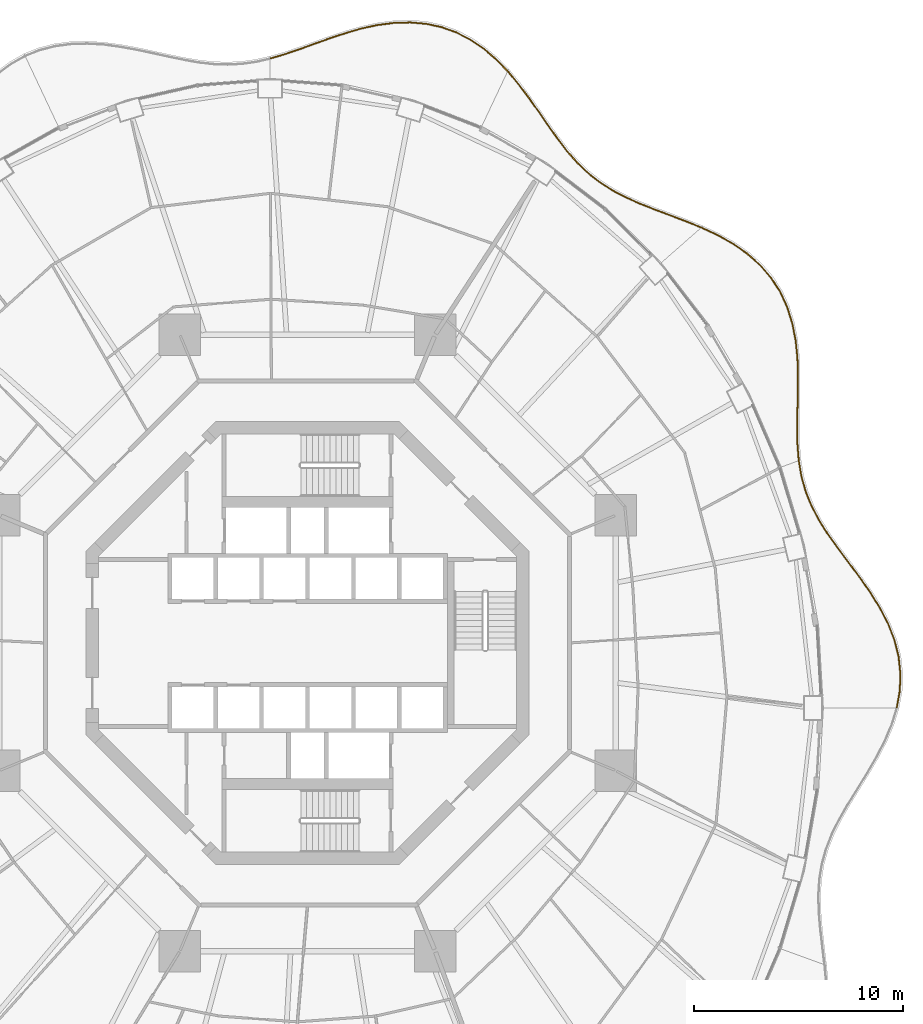
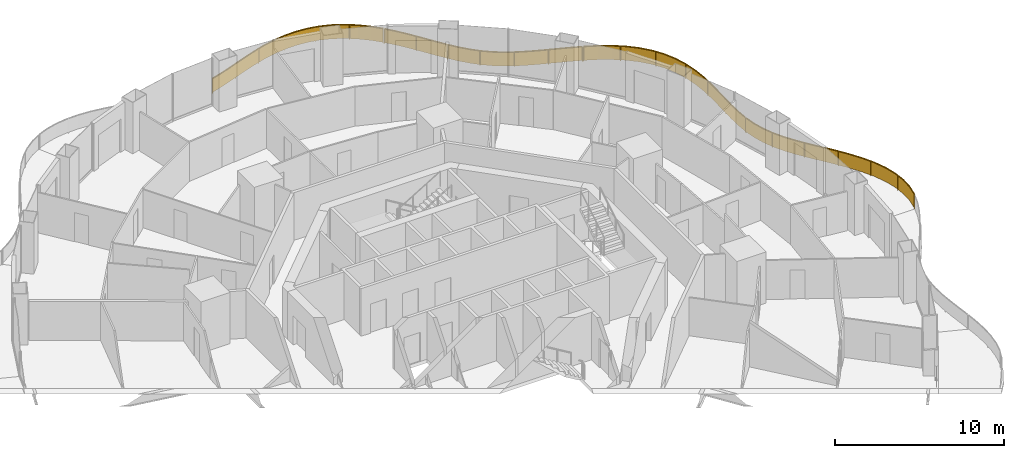
# One storey, part 20 of 20: 4 railings.
"""IFC4 building model written with IfcOpenShell, lengths in metres."""

from ifc_helpers import new_model, si_unit, direction, frame, origin, origin_2d, place, context, subcontext, project, spatial, polyline, rectangle, outline, extrude, material, type_object, element, save


model = new_model("IFC4")

# Units and contexts
model_context = context("Model", 3, precision=1e-05, world=origin(), true_north=direction((0.0, 1.0)))
body_context = subcontext(model_context, "Body", "Model", "MODEL_VIEW")
ifc_project = project(units=[si_unit("LENGTHUNIT", "METRE"), si_unit("AREAUNIT", "SQUARE_METRE"), si_unit("VOLUMEUNIT", "CUBIC_METRE"), si_unit("PLANEANGLEUNIT", "RADIAN"), si_unit("MASSUNIT", "GRAM", prefix="KILO")], contexts=[model_context])

# Site, building, storey
site_placement = place(None, origin())
site = spatial("IfcSite", under=ifc_project, at=site_placement, CompositionType="ELEMENT")
building_placement = place(site_placement, origin())
building = spatial("IfcBuilding", under=site, at=building_placement, Name="Nagisa Residences", CompositionType="ELEMENT")
storey_placement = place(building_placement, frame((0.0, 0.0, 123.300048828125)))
storey = spatial("IfcBuildingStorey", under=building, at=storey_placement, Name="L30", CompositionType="ELEMENT", Elevation=123.300048828125)

# Railings
ifc_material = material(Name="Stainless steel 316", Category="steel")
railing_type = type_object("IfcRailingType", Name="BALCONY GUARD 1100", PredefinedType="BALUSTRADE", material=ifc_material)
railing_1_placement = place(storey_placement, frame((28.2578125, -3.07958984375, 0.0)))
element("IfcRailing", 1, at=railing_1_placement, inside=storey, type_object=railing_type, Name="guard:L30:bal00-0", PredefinedType="BALUSTRADE", context=body_context, shape_type="SweptSolid", body=[
    extrude(outline(polyline([(0.11474609375, 0.77587890625), (-0.024658203125, 0.00439453125), (0.024658203125, -0.00439453125), (0.16455078125, 0.7705078125), (0.197021484375, 1.59423828125), (0.11083984375, 2.413330078125), (-0.090087890625, 3.22119140625), (-0.396240234375, 4.011474609375), (-0.78955078125, 4.7666015625), (-1.252197265625, 5.51171875), (-1.75830078125, 6.23388671875), (-2.281494140625, 6.935546875), (-2.7958984375, 7.6220703125), (-3.274658203125, 8.2861328125), (-3.70361328125, 8.963134765625), (-4.064697265625, 9.6484375), (-4.348388671875, 10.350341796875), (-4.552734375, 11.076416015625), (-4.67431640625, 11.79150390625), (-4.7236328125, 11.783203125), (-4.6015625, 11.065185546875), (-4.395751953125, 10.334228515625), (-4.110107421875, 9.62744140625), (-3.7470703125, 8.938232421875), (-3.316162109375, 8.25830078125), (-2.83642578125, 7.59228515625), (-2.321533203125, 6.90576171875), (-1.798828125, 6.20458984375), (-1.294189453125, 5.484375), (-0.8330078125, 4.74169921875), (-0.442138671875, 3.990966796875), (-0.137939453125, 3.2060546875), (0.0615234375, 2.404541015625), (0.146728515625, 1.5927734375), (0.11474609375, 0.77587890625)])), frame((0.0, 0.0, 1.050048828125)), (0.0, 0.0, 1.0), 0.050048828125),
    extrude(outline(polyline([(0.132568359375, 0.77392578125), (-0.0068359375, 0.001220703125), (0.0068359375, -0.001220703125), (0.146728515625, 0.7724609375), (0.178955078125, 1.59375), (0.093017578125, 2.41015625), (-0.107421875, 3.2158203125), (-0.412841796875, 4.004150390625), (-0.80517578125, 4.757568359375), (-1.267333984375, 5.501953125), (-1.77294921875, 6.223388671875), (-2.2958984375, 6.9248046875), (-2.810546875, 7.611328125), (-3.28955078125, 8.276123046875), (-3.71923828125, 8.9541015625), (-4.0810546875, 9.640869140625), (-4.365478515625, 10.344482421875), (-4.5703125, 11.072265625), (-4.692138671875, 11.78857421875), (-4.705810546875, 11.7861328125), (-4.583984375, 11.0693359375), (-4.378662109375, 10.340087890625), (-4.09375, 9.635009765625), (-3.7314453125, 8.947265625), (-3.30126953125, 8.268310546875), (-2.82177734375, 7.60302734375), (-2.30712890625, 6.91650390625), (-1.7841796875, 6.215087890625), (-1.279052734375, 5.494140625), (-0.8173828125, 4.750732421875), (-0.425537109375, 3.998291015625), (-0.12060546875, 3.21142578125), (0.079345703125, 2.40771484375), (0.164794921875, 1.59326171875), (0.132568359375, 0.77392578125)])), frame((0.0, 0.0, 0.06005859375)), (0.0, 0.0, 1.0), 0.989990234375),
    extrude(rectangle(XDim=0.0400390625, YDim=0.0400390625, at=origin_2d()), origin(), (0.0, 0.0, 1.0), 1.050048828125),
    extrude(rectangle(XDim=0.0400390625, YDim=0.0400390625, at=origin_2d()), frame((0.11181640625, 2.1640625, 0.0)), (0.0, 0.0, 1.0), 1.050048828125),
    extrude(rectangle(XDim=0.0400390625, YDim=0.0400390625, at=origin_2d()), frame((-0.539306640625, 4.23193359375, 0.0)), (0.0, 0.0, 1.0), 1.050048828125),
    extrude(rectangle(XDim=0.0400390625, YDim=0.0400390625, at=origin_2d()), frame((-1.68408203125, 6.084228515625, 0.0)), (0.0, 0.0, 1.0), 1.050048828125),
    extrude(rectangle(XDim=0.0400390625, YDim=0.0400390625, at=origin_2d()), frame((-2.9814453125, 7.83642578125, 0.0)), (0.0, 0.0, 1.0), 1.050048828125),
    extrude(rectangle(XDim=0.0400390625, YDim=0.0400390625, at=origin_2d()), frame((-4.111083984375, 9.696533203125, 0.0)), (0.0, 0.0, 1.0), 1.050048828125),
    extrude(rectangle(XDim=0.0400390625, YDim=0.0400390625, at=origin_2d()), frame((-4.698974609375, 11.787353515625, 0.0)), (0.0, 0.0, 1.0), 1.050048828125),
])
railing_2_placement = place(storey_placement, frame((23.552001953125, 8.7783203125, 0.0)))
element("IfcRailing", 2, at=railing_2_placement, inside=storey, type_object=railing_type, Name="guard:L30:bal01-0", PredefinedType="BALUSTRADE", context=body_context, shape_type="SweptSolid", body=[
    extrude(outline(polyline([(-0.08349609375, 0.721923828125), (-0.02490234375, -0.001953125), (0.02490234375, 0.001953125), (-0.03369140625, 0.724365234375), (-0.04931640625, 1.518798828125), (-0.036865234375, 2.3408203125), (-0.016845703125, 3.18408203125), (-0.01123046875, 4.039794921875), (-0.035888671875, 4.884521484375), (-0.12353515625, 5.7314453125), (-0.28466796875, 6.55419921875), (-0.531982421875, 7.340576171875), (-0.873779296875, 8.078369140625), (-1.304443359375, 8.74609375), (-1.8349609375, 9.359619140625), (-2.450927734375, 9.906494140625), (-3.13916015625, 10.386474609375), (-3.8828125, 10.804931640625), (-4.623291015625, 11.149169921875), (-4.644287109375, 11.103759765625), (-3.90576171875, 10.760498046875), (-3.166015625, 10.343994140625), (-2.482177734375, 9.866943359375), (-1.87060546875, 9.324462890625), (-1.344482421875, 8.7158203125), (-0.917724609375, 8.053955078125), (-0.578857421875, 7.322509765625), (-0.3330078125, 6.5419921875), (-0.1728515625, 5.72412109375), (-0.085693359375, 4.881103515625), (-0.0615234375, 4.039306640625), (-0.066650390625, 3.18505859375), (-0.086669921875, 2.341796875), (-0.099609375, 1.518798828125), (-0.08349609375, 0.721923828125)])), frame((0.0, 0.0, 1.050048828125)), (0.0, 0.0, 1.0), 0.050048828125),
    extrude(outline(polyline([(-0.065673828125, 0.722900390625), (-0.007080078125, -0.00048828125), (0.007080078125, 0.00048828125), (-0.051513671875, 0.723388671875), (-0.0673828125, 1.518798828125), (-0.0546875, 2.341064453125), (-0.03466796875, 3.1845703125), (-0.029296875, 4.03955078125), (-0.0537109375, 4.88330078125), (-0.141357421875, 5.728759765625), (-0.302001953125, 6.5498046875), (-0.548828125, 7.333984375), (-0.8896484375, 8.069580078125), (-1.31884765625, 8.735107421875), (-1.847900390625, 9.346923828125), (-2.462158203125, 9.892333984375), (-3.14892578125, 10.37109375), (-3.89111328125, 10.7890625), (-4.630859375, 11.1328125), (-4.63671875, 11.1201171875), (-3.8974609375, 10.7763671875), (-3.15625, 10.359375), (-2.470947265625, 9.881103515625), (-1.857666015625, 9.337158203125), (-1.330078125, 8.726806640625), (-0.90185546875, 8.062744140625), (-0.56201171875, 7.3291015625), (-0.315673828125, 6.54638671875), (-0.155029296875, 5.726806640625), (-0.06787109375, 4.88232421875), (-0.04345703125, 4.03955078125), (-0.048828125, 3.1845703125), (-0.06884765625, 2.341552734375), (-0.08154296875, 1.518798828125), (-0.065673828125, 0.722900390625)])), frame((0.0, 0.0, 0.06005859375)), (0.0, 0.0, 1.0), 0.989990234375),
    extrude(rectangle(XDim=0.0400390625, YDim=0.0400390625, at=origin_2d()), origin(), (0.0, 0.0, 1.0), 1.050048828125),
    extrude(rectangle(XDim=0.0400390625, YDim=0.0400390625, at=origin_2d()), frame((-0.064208984375, 2.184814453125, 0.0)), (0.0, 0.0, 1.0), 1.050048828125),
    extrude(rectangle(XDim=0.0400390625, YDim=0.0400390625, at=origin_2d()), frame((-0.0458984375, 4.371826171875, 0.0)), (0.0, 0.0, 1.0), 1.050048828125),
    extrude(rectangle(XDim=0.0400390625, YDim=0.0400390625, at=origin_2d()), frame((-0.30712890625, 6.539306640625, 0.0)), (0.0, 0.0, 1.0), 1.050048828125),
    extrude(rectangle(XDim=0.0400390625, YDim=0.0400390625, at=origin_2d()), frame((-1.1923828125, 8.5263671875, 0.0)), (0.0, 0.0, 1.0), 1.050048828125),
    extrude(rectangle(XDim=0.0400390625, YDim=0.0400390625, at=origin_2d()), frame((-2.725341796875, 10.067138671875, 0.0)), (0.0, 0.0, 1.0), 1.050048828125),
    extrude(rectangle(XDim=0.0400390625, YDim=0.0400390625, at=origin_2d()), frame((-4.6337890625, 11.12646484375, 0.0)), (0.0, 0.0, 1.0), 1.050048828125),
])
railing_3_placement = place(storey_placement, frame((18.84716796875, 19.9345703125, 0.0)))
element("IfcRailing", 3, at=railing_3_placement, inside=storey, type_object=railing_type, Name="guard:L30:bal02-0", PredefinedType="BALUSTRADE", context=body_context, shape_type="SweptSolid", body=[
    extrude(outline(polyline([(-0.728271484375, 0.2685546875), (-0.009521484375, -0.023193359375), (0.009521484375, 0.023193359375), (-0.710205078125, 0.31494140625), (-1.471435546875, 0.603515625), (-2.217529296875, 0.883544921875), (-2.936279296875, 1.169189453125), (-3.61767578125, 1.4755859375), (-4.24365234375, 1.804931640625), (-4.836181640625, 2.18798828125), (-5.385498046875, 2.622314453125), (-5.89599609375, 3.11181640625), (-6.376220703125, 3.655029296875), (-6.82275390625, 4.23876953125), (-7.27490234375, 4.871826171875), (-7.731201171875, 5.53173828125), (-8.20361328125, 6.20263671875), (-8.703125, 6.865966796875), (-9.205810546875, 7.4677734375), (-9.244384765625, 7.435546875), (-8.7421875, 6.834716796875), (-8.244140625, 6.17333984375), (-7.772216796875, 5.5029296875), (-7.31591796875, 4.843017578125), (-6.86279296875, 4.208984375), (-6.414794921875, 3.623291015625), (-5.93212890625, 3.0771484375), (-5.418212890625, 2.584716796875), (-4.865478515625, 2.1474609375), (-4.26904296875, 1.761474609375), (-3.6396484375, 1.4306640625), (-2.955810546875, 1.123291015625), (-2.235595703125, 0.836669921875), (-1.489013671875, 0.556640625), (-0.728271484375, 0.2685546875)])), frame((0.0, 0.0, 1.050048828125)), (0.0, 0.0, 1.0), 0.050048828125),
    extrude(outline(polyline([(-0.7216796875, 0.28515625), (-0.002685546875, -0.006591796875), (0.002685546875, 0.006591796875), (-0.716796875, 0.29833984375), (-1.477783203125, 0.586669921875), (-2.22412109375, 0.86669921875), (-2.943359375, 1.152587890625), (-3.62548828125, 1.45947265625), (-4.2529296875, 1.789306640625), (-4.8466796875, 2.17333984375), (-5.397216796875, 2.60888671875), (-5.908935546875, 3.099365234375), (-6.39013671875, 3.6435546875), (-6.837158203125, 4.22802734375), (-7.289794921875, 4.861328125), (-7.745849609375, 5.521240234375), (-8.21826171875, 6.192138671875), (-8.71728515625, 6.854736328125), (-9.2197265625, 7.4560546875), (-9.23046875, 7.447265625), (-8.72802734375, 6.845947265625), (-8.2294921875, 6.183837890625), (-7.757568359375, 5.513427734375), (-7.301025390625, 4.853515625), (-6.848388671875, 4.2197265625), (-6.40087890625, 3.634765625), (-5.919189453125, 3.089599609375), (-5.406494140625, 2.59814453125), (-4.85498046875, 2.162109375), (-4.259765625, 1.777099609375), (-3.6318359375, 1.44677734375), (-2.94873046875, 1.139892578125), (-2.22900390625, 0.853515625), (-1.482666015625, 0.573486328125), (-0.7216796875, 0.28515625)])), frame((0.0, 0.0, 0.06005859375)), (0.0, 0.0, 1.0), 0.989990234375),
    extrude(rectangle(XDim=0.0400390625, YDim=0.0400390625, at=origin_2d()), origin(), (0.0, 0.0, 1.0), 1.050048828125),
    extrude(rectangle(XDim=0.0400390625, YDim=0.0400390625, at=origin_2d()), frame((-1.89794921875, 0.73681640625, 0.0)), (0.0, 0.0, 1.0), 1.050048828125),
    extrude(rectangle(XDim=0.0400390625, YDim=0.0400390625, at=origin_2d()), frame((-3.772216796875, 1.528564453125, 0.0)), (0.0, 0.0, 1.0), 1.050048828125),
    extrude(rectangle(XDim=0.0400390625, YDim=0.0400390625, at=origin_2d()), frame((-5.45849609375, 2.65771484375, 0.0)), (0.0, 0.0, 1.0), 1.050048828125),
    extrude(rectangle(XDim=0.0400390625, YDim=0.0400390625, at=origin_2d()), frame((-6.807373046875, 4.177734375, 0.0)), (0.0, 0.0, 1.0), 1.050048828125),
    extrude(rectangle(XDim=0.0400390625, YDim=0.0400390625, at=origin_2d()), frame((-7.980224609375, 5.841796875, 0.0)), (0.0, 0.0, 1.0), 1.050048828125),
    extrude(rectangle(XDim=0.0400390625, YDim=0.0400390625, at=origin_2d()), frame((-9.22509765625, 7.45166015625, 0.0)), (0.0, 0.0, 1.0), 1.050048828125),
])
railing_4_placement = place(storey_placement, frame((9.571044921875, 27.444091796875, 0.0)))
element("IfcRailing", 4, at=railing_4_placement, inside=storey, type_object=railing_type, Name="guard:L30:bal03-0", PredefinedType="BALUSTRADE", context=body_context, shape_type="SweptSolid", body=[
    extrude(outline(polyline([(-0.537353515625, 0.5185546875), (-0.01806640625, -0.017333984375), (0.01806640625, 0.017333984375), (-0.503173828125, 0.55517578125), (-1.101806640625, 1.0654296875), (-1.743408203125, 1.501708984375), (-2.42578125, 1.853271484375), (-3.14453125, 2.11181640625), (-3.87646484375, 2.269287109375), (-4.646728515625, 2.336669921875), (-5.4306640625, 2.31396484375), (-6.21923828125, 2.211669921875), (-7.0048828125, 2.042236328125), (-7.76318359375, 1.820068359375), (-8.523681640625, 1.56787109375), (-9.2666015625, 1.302001953125), (-9.990234375, 1.04150390625), (-10.69580078125, 0.802978515625), (-11.343994140625, 0.612548828125), (-11.329833984375, 0.564697265625), (-10.6806640625, 0.755126953125), (-9.9736328125, 0.994140625), (-9.24951171875, 1.255126953125), (-8.507568359375, 1.5205078125), (-7.748046875, 1.772216796875), (-6.99267578125, 1.993896484375), (-6.2109375, 2.162353515625), (-5.4267578125, 2.26416015625), (-4.648193359375, 2.286376953125), (-3.8837890625, 2.219482421875), (-3.158203125, 2.0634765625), (-2.44580078125, 1.807373046875), (-1.768798828125, 1.458740234375), (-1.132080078125, 1.025390625), (-0.537353515625, 0.5185546875)])), frame((0.0, 0.0, 1.050048828125)), (0.0, 0.0, 1.0), 0.050048828125),
    extrude(outline(polyline([(-0.525146484375, 0.53173828125), (-0.005126953125, -0.0048828125), (0.005126953125, 0.0048828125), (-0.515380859375, 0.5419921875), (-1.11279296875, 1.051025390625), (-1.75244140625, 1.486328125), (-2.43310546875, 1.836669921875), (-3.1494140625, 2.094482421875), (-3.879150390625, 2.251220703125), (-4.647216796875, 2.318603515625), (-5.42919921875, 2.296142578125), (-6.21630859375, 2.19384765625), (-7.00048828125, 2.02490234375), (-7.7578125, 1.802734375), (-8.517822265625, 1.55078125), (-9.260498046875, 1.28515625), (-9.984130859375, 1.0244140625), (-10.6904296875, 0.78564453125), (-11.3388671875, 0.595458984375), (-11.3349609375, 0.581787109375), (-10.68603515625, 0.7724609375), (-9.979736328125, 1.01123046875), (-9.255615234375, 1.27197265625), (-8.513427734375, 1.53759765625), (-7.75341796875, 1.78955078125), (-6.9970703125, 2.01123046875), (-6.2138671875, 2.18017578125), (-5.42822265625, 2.281982421875), (-4.647705078125, 2.304443359375), (-3.881103515625, 2.237548828125), (-3.1533203125, 2.080810546875), (-2.4384765625, 1.823974609375), (-1.759765625, 1.47412109375), (-1.12109375, 1.039794921875), (-0.525146484375, 0.53173828125)])), frame((0.0, 0.0, 0.06005859375)), (0.0, 0.0, 1.0), 0.989990234375),
    extrude(rectangle(XDim=0.0400390625, YDim=0.0400390625, at=origin_2d()), origin(), (0.0, 0.0, 1.0), 1.050048828125),
    extrude(rectangle(XDim=0.0400390625, YDim=0.0400390625, at=origin_2d()), frame((-1.544189453125, 1.336181640625, 0.0)), (0.0, 0.0, 1.0), 1.050048828125),
    extrude(rectangle(XDim=0.0400390625, YDim=0.0400390625, at=origin_2d()), frame((-3.41259765625, 2.143798828125, 0.0)), (0.0, 0.0, 1.0), 1.050048828125),
    extrude(rectangle(XDim=0.0400390625, YDim=0.0400390625, at=origin_2d()), frame((-5.447021484375, 2.28662109375, 0.0)), (0.0, 0.0, 1.0), 1.050048828125),
    extrude(rectangle(XDim=0.0400390625, YDim=0.0400390625, at=origin_2d()), frame((-7.451904296875, 1.88525390625, 0.0)), (0.0, 0.0, 1.0), 1.050048828125),
    extrude(rectangle(XDim=0.0400390625, YDim=0.0400390625, at=origin_2d()), frame((-9.392333984375, 1.230224609375, 0.0)), (0.0, 0.0, 1.0), 1.050048828125),
    extrude(rectangle(XDim=0.0400390625, YDim=0.0400390625, at=origin_2d()), frame((-11.3369140625, 0.588623046875, 0.0)), (0.0, 0.0, 1.0), 1.050048828125),
])

save(model, "model.ifc")
